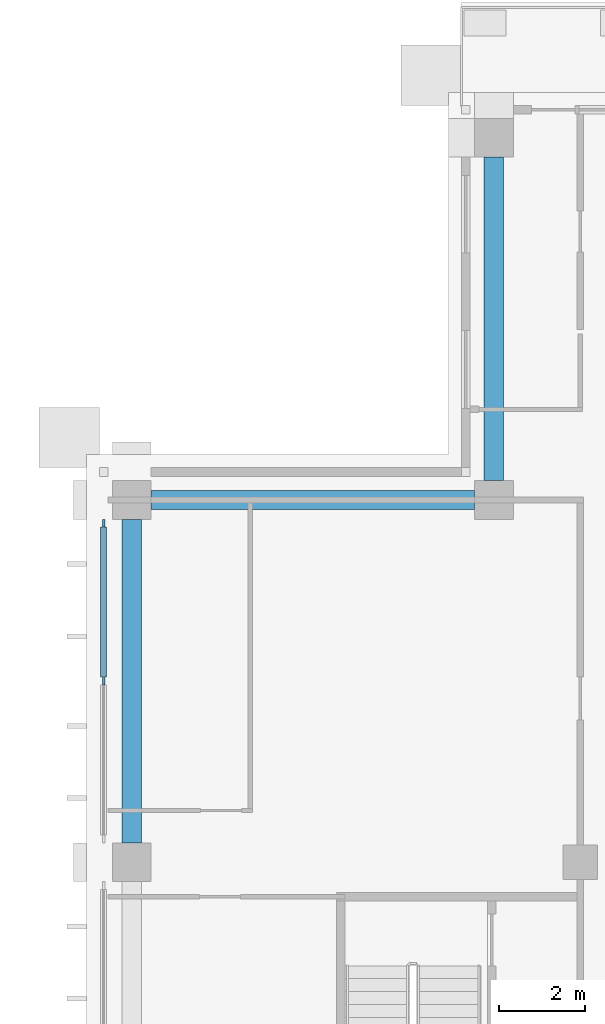
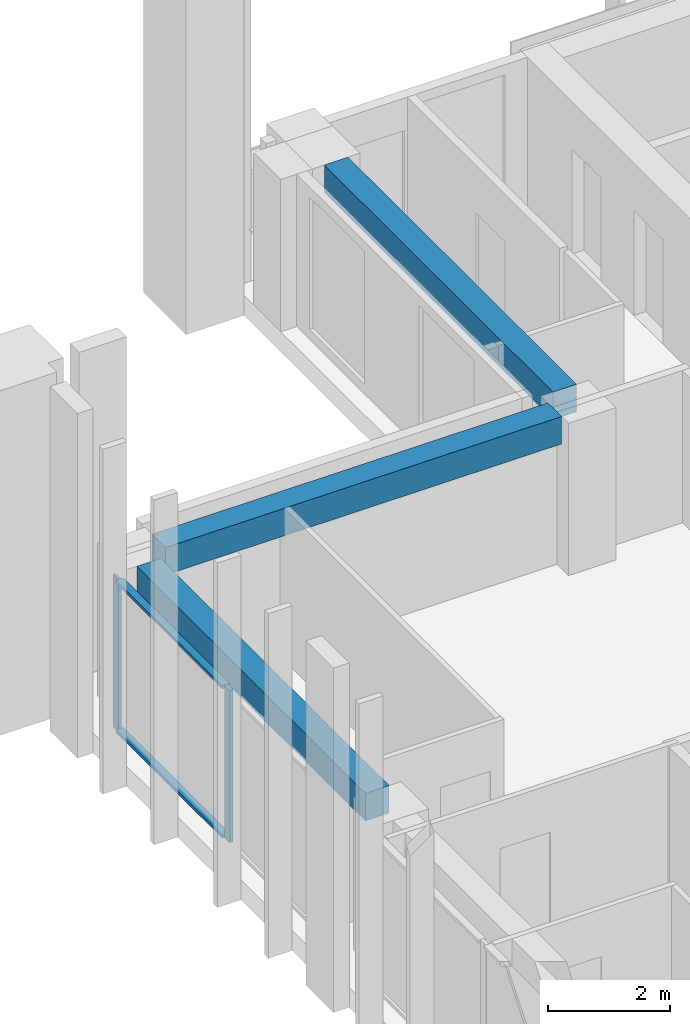
# One storey, part 5 of 18: 4 members, 3 beams, 1 element without a shape of its own.
"""IFC4 building model written with IfcOpenShell, lengths in metres."""

from ifc_helpers import new_model, si_unit, direction, frame, origin, origin_2d, place, context, subcontext, project, spatial, rectangle, extrude, material, material_profile, profile_set, type_object, element, aggregate, save


model = new_model("IFC4")

# Units and contexts
model_context = context("Model", 3, precision=1e-05, world=origin(), true_north=direction((0.0, 1.0)))
body_context = subcontext(model_context, "Body", "Model", "MODEL_VIEW")
ifc_project = project(units=[si_unit("LENGTHUNIT", "METRE"), si_unit("AREAUNIT", "SQUARE_METRE"), si_unit("VOLUMEUNIT", "CUBIC_METRE"), si_unit("PLANEANGLEUNIT", "RADIAN"), si_unit("MASSUNIT", "GRAM", prefix="KILO")], contexts=[model_context])

# Site, building, storey
site_placement = place(None, origin())
site = spatial("IfcSite", under=ifc_project, at=site_placement, CompositionType="ELEMENT")
building_placement = place(site_placement, origin())
building = spatial("IfcBuilding", under=site, at=building_placement, Name="Vermilion Ogive Tower", CompositionType="ELEMENT")
storey_placement = place(building_placement, frame((0.0, 0.0, 254.5)))
storey = spatial("IfcBuildingStorey", under=building, at=storey_placement, Name="L67", CompositionType="ELEMENT", Elevation=254.5)

# Curtain wall, members
ifc_material_1 = material(Name="Low-iron laminated glazing in aluminium frame", Category="aluminium")
curtain_wall_type = type_object("IfcCurtainWallType", Name="Curtain wall CW7", PredefinedType="NOTDEFINED", material=ifc_material_1)
curtain_wall_placement = place(storey_placement, origin())
curtain_wall = element("IfcCurtainWall", 1, at=curtain_wall_placement, inside=storey, type_object=curtain_wall_type, Name="Glazed skin W1", PredefinedType="NOTDEFINED")
ifc_material_2 = material(Name="Aluminium mullion", Category="aluminium")
ifc_material_profile_1 = material_profile(ifc_material_2, rectangle(XDim=0.06005859375, YDim=0.179931640625, at=origin_2d()), Name="AL 60x180")
ifc_profile_set_1 = profile_set([ifc_material_profile_1], Name="Aluminium mullion")
member_type_1 = type_object("IfcMemberType", Name="CW7 mullion 60x180", PredefinedType="MULLION", material=ifc_profile_set_1)
member_1_placement = place(storey_placement, frame((-25.85009765625, 12.06005859375, 0.0), z_axis=(0.0, 0.0, 1.0), x_axis=(1.0, 0.0, 0.0)))
member_1 = element("IfcMember", 2, at=member_1_placement, type_object=member_type_1, Name="CW7-W1 mullion 1", PredefinedType="MULLION", context=body_context, shape_type="SweptSolid", body=[
    extrude(rectangle(XDim=0.06005859375, YDim=0.179931640625, at=origin_2d()), origin(), (0.0, 0.0, 1.0), 3.050048828125),
])
member_2_placement = place(storey_placement, frame((-25.85009765625, 8.39990234375, 0.0), z_axis=(0.0, 0.0, 1.0), x_axis=(1.0, 0.0, 0.0)))
member_2 = element("IfcMember", 3, at=member_2_placement, type_object=member_type_1, Name="CW7-W1 mullion 2", PredefinedType="MULLION", context=body_context, shape_type="SweptSolid", body=[
    extrude(rectangle(XDim=0.06005859375, YDim=0.179931640625, at=origin_2d()), origin(), (0.0, 0.0, 1.0), 3.050048828125),
])
ifc_material_3 = material(Name="Aluminium transom", Category="aluminium")
ifc_material_profile_2 = material_profile(ifc_material_3, rectangle(XDim=0.139892578125, YDim=0.06005859375, at=origin_2d()), Name="AL 60x140")
ifc_profile_set_2 = profile_set([ifc_material_profile_2], Name="Aluminium transom")
member_type_2 = type_object("IfcMemberType", Name="CW7 transom 60x140", PredefinedType="USERDEFINED", material=ifc_profile_set_2)
member_3_placement = place(storey_placement, frame((-25.85009765625, 11.969970703125, 0.030029296875), z_axis=(0.0, -1.0, 0.0), x_axis=(1.0, 0.0, 0.0)))
member_3 = element("IfcMember", 4, at=member_3_placement, type_object=member_type_2, Name="CW7-W1 transom 1.1", ObjectType="TRANSOM", PredefinedType="USERDEFINED", context=body_context, shape_type="SweptSolid", body=[
    extrude(rectangle(XDim=0.139892578125, YDim=0.06005859375, at=origin_2d()), origin(), (0.0, 0.0, 1.0), 3.47998046875),
])
member_4_placement = place(storey_placement, frame((-25.85009765625, 11.969970703125, 3.02001953125), z_axis=(0.0, -1.0, 0.0), x_axis=(1.0, 0.0, 0.0)))
member_4 = element("IfcMember", 5, at=member_4_placement, type_object=member_type_2, Name="CW7-W1 transom 1.2", ObjectType="TRANSOM", PredefinedType="USERDEFINED", context=body_context, shape_type="SweptSolid", body=[
    extrude(rectangle(XDim=0.139892578125, YDim=0.06005859375, at=origin_2d()), origin(), (0.0, 0.0, 1.0), 3.47998046875),
])
aggregate(curtain_wall, [member_1, member_2, member_3, member_4])

# Beams
ifc_material_4 = material(Name="Concrete B45", Category="concrete")
ifc_material_profile_3 = material_profile(ifc_material_4, rectangle(XDim=0.449951171875, YDim=0.550048828125, at=origin_2d()), Name="450 x 550")
ifc_profile_set_3 = profile_set([ifc_material_profile_3], Name="Concrete B45")
beam_type = type_object("IfcBeamType", Name="Edge beam 450 x 550 B45", PredefinedType="BEAM", material=ifc_profile_set_3)
for number, where, z_axis, x_axis, name in (
    (6, (-16.800048828125, 20.550048828125, 2.77490234375), (0.0, -1.0, 0.0), (1.0, 0.0, 0.0), "L67-EB-12"),
    (7, (-17.25, 12.60009765625, 2.77490234375), (-1.0, 0.0, 0.0), (0.0, -1.0, 0.0), "L67-EB-13"),
    (8, (-25.199951171875, 12.14990234375, 2.77490234375), (0.0, -1.0, 0.0), (1.0, 0.0, 0.0), "L67-EB-14"),
):
    element("IfcBeam", number, at=place(storey_placement, frame(where, z_axis=z_axis, x_axis=x_axis)), inside=storey, type_object=beam_type, Name=name, PredefinedType="BEAM", context=body_context, shape_type="SweptSolid", body=[
        extrude(rectangle(XDim=0.449951171875, YDim=0.550048828125, at=origin_2d()), origin(), (0.0, 0.0, 1.0), 7.5),
    ])

save(model, "model.ifc")
